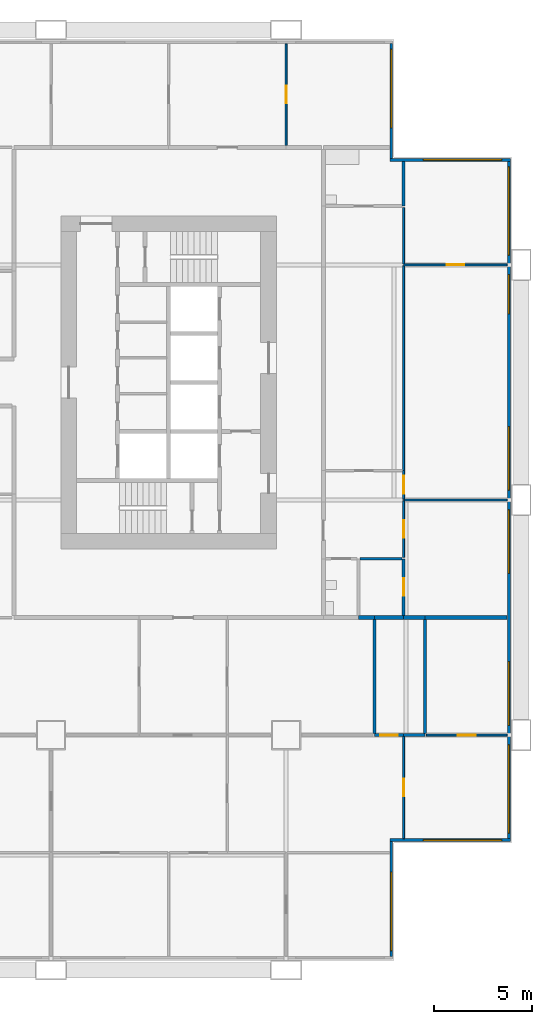
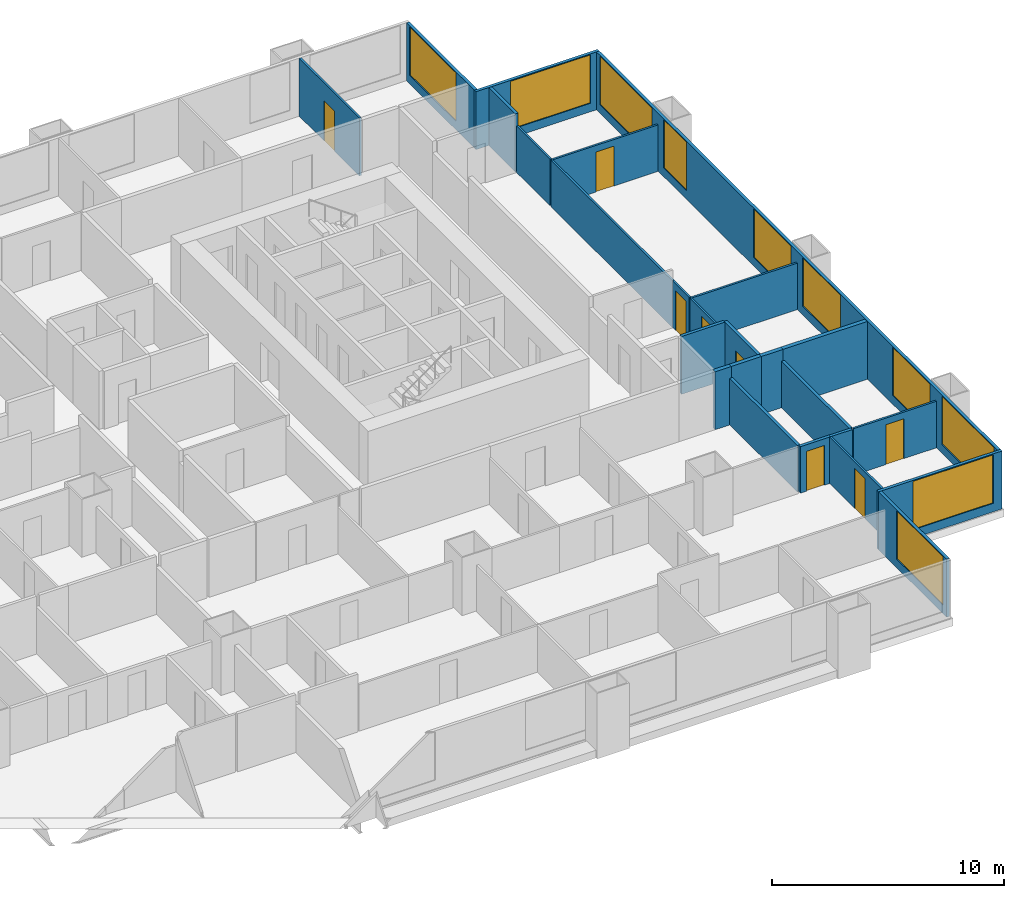
# One storey, part 10 of 13: 25 walls, 10 windows, 8 doors, 18 openings.
"""IFC4 building model written with IfcOpenShell, lengths in metres."""

from ifc_helpers import new_model, si_unit, direction, frame, frame_2d, origin, place, context, subcontext, project, spatial, rectangle, extrude, material, layer, layer_set, type_object, element, fill, save


model = new_model("IFC4")

# Units and contexts
model_context = context("Model", 3, precision=1e-05, world=origin(), true_north=direction((0.0, 1.0)))
body_context = subcontext(model_context, "Body", "Model", "MODEL_VIEW")
ifc_project = project(units=[si_unit("LENGTHUNIT", "METRE"), si_unit("AREAUNIT", "SQUARE_METRE"), si_unit("VOLUMEUNIT", "CUBIC_METRE"), si_unit("PLANEANGLEUNIT", "RADIAN"), si_unit("MASSUNIT", "GRAM", prefix="KILO")], contexts=[model_context])

# Site, building, storey
site_placement = place(None, origin())
site = spatial("IfcSite", under=ifc_project, at=site_placement, CompositionType="ELEMENT")
building_placement = place(site_placement, origin())
building = spatial("IfcBuilding", under=site, at=building_placement, Name="Kitamizu Gate Tower and Museum", CompositionType="ELEMENT")
storey_placement = place(building_placement, frame((0.0, 0.0, 78.300048828125)))
storey = spatial("IfcBuildingStorey", under=building, at=storey_placement, Name="L19", CompositionType="ELEMENT", Elevation=78.300048828125)

# Wall, opening, door
ifc_material_1 = material(Name="Gypsum board on galvanised stud")
ifc_layer_1 = layer(ifc_material_1, 0.10009765625)
ifc_layer_set_1 = layer_set([ifc_layer_1], Name="Gypsum board on galvanised stud")
wall_type_1 = type_object("IfcWallType", Name="Partition 100 NOT RATED", PredefinedType="PARTITIONING", material=ifc_layer_set_1)
wall_1_placement = place(storey_placement, frame((66.0, 6.719970703125, 0.0), z_axis=(0.0, 0.0, 1.0), x_axis=(0.0, 1.0, 0.0)))
wall_1 = element("IfcWall", 1, at=wall_1_placement, inside=storey, type_object=wall_type_1, Name="Partition L19-091", PredefinedType="PARTITIONING", context=body_context, shape_type="SweptSolid", body=[
    extrude(rectangle(XDim=5.205078125, YDim=0.10009765625, at=frame_2d((2.6025390625, 0.0))), origin(), (0.0, 0.0, 1.0), 2.449951171875),
])
opening_1_placement = place(wall_1_placement, frame((2.152587890625, 0.0, 0.0)))
opening_1 = element("IfcOpeningElement", 2, at=opening_1_placement, cuts=wall_1, Name="Opening L19-033", PredefinedType="OPENING", context=body_context, shape_type="SweptSolid", body=[
    extrude(rectangle(XDim=0.89990234375, YDim=2.10009765625, at=frame_2d((0.449951171875, 1.050048828125))), frame((0.0, 0.06005859375, 0.0), z_axis=(0.0, -1.0, 0.0), x_axis=(1.0, 0.0, 0.0)), (0.0, 0.0, 1.0), 0.1201171875),
])
ifc_material_2 = material(Name="Timber door set", Category="wood")
door_type_1 = type_object("IfcDoorType", Name="Room door 900", OperationType="NOTDEFINED", PredefinedType="DOOR", material=ifc_material_2)
door_1_placement = place(opening_1_placement, origin())
door_1 = element("IfcDoor", 3, at=door_1_placement, inside=storey, type_object=door_type_1, Name="Door L19-033", OperationType="SINGLE_SWING_LEFT", OverallHeight=2.10009765625, OverallWidth=0.89990234375, PredefinedType="DOOR", context=body_context, shape_type="SweptSolid", body=[
    extrude(rectangle(XDim=0.89990234375, YDim=2.10009765625, at=frame_2d((0.449951171875, 1.050048828125))), frame((0.0, 0.02490234375, 0.0), z_axis=(0.0, -1.0, 0.0), x_axis=(1.0, 0.0, 0.0)), (0.0, 0.0, 1.0), 0.050048828125),
])
fill(opening_1, door_1)

wall_2_placement = place(storey_placement, frame((71.280029296875, 12.0, 0.0), z_axis=(0.0, 0.0, 1.0), x_axis=(-1.0, 0.0, 0.0)))
wall_2 = element("IfcWall", 4, at=wall_2_placement, inside=storey, type_object=wall_type_1, Name="Partition L19-095", PredefinedType="PARTITIONING", context=body_context, shape_type="SweptSolid", body=[
    extrude(rectangle(XDim=4.129150390625, YDim=0.10009765625, at=frame_2d((2.064453125, 0.0))), origin(), (0.0, 0.0, 1.0), 2.449951171875),
])
opening_2_placement = place(wall_2_placement, frame((1.614501953125, 0.0, 0.0)))
opening_2 = element("IfcOpeningElement", 5, at=opening_2_placement, cuts=wall_2, Name="Opening L19-039", PredefinedType="OPENING", context=body_context, shape_type="SweptSolid", body=[
    extrude(rectangle(XDim=0.89990234375, YDim=2.10009765625, at=frame_2d((0.449951171875, 1.050048828125))), frame((0.0, 0.06005859375, 0.0), z_axis=(0.0, -1.0, 0.0), x_axis=(1.0, 0.0, 0.0)), (0.0, 0.0, 1.0), 0.1201171875),
])
door_2_placement = place(opening_2_placement, frame((0.89990234375, 0.0, 0.0), x_axis=(-1.0, 0.0, 0.0)))
door_2 = element("IfcDoor", 6, at=door_2_placement, inside=storey, type_object=door_type_1, Name="Door L19-039", OperationType="SINGLE_SWING_RIGHT", OverallHeight=2.10009765625, OverallWidth=0.89990234375, PredefinedType="DOOR", context=body_context, shape_type="SweptSolid", body=[
    extrude(rectangle(XDim=0.89990234375, YDim=2.10009765625, at=frame_2d((0.449951171875, 1.050048828125))), frame((0.0, 0.02490234375, 0.0), z_axis=(0.0, -1.0, 0.0), x_axis=(1.0, 0.0, 0.0)), (0.0, 0.0, 1.0), 0.050048828125),
])
fill(opening_2, door_2)

# Wall
wall_3_placement = place(storey_placement, frame((71.280029296875, 24.0, 0.0), z_axis=(0.0, 0.0, 1.0), x_axis=(-1.0, 0.0, 0.0)))
element("IfcWall", 7, at=wall_3_placement, inside=storey, type_object=wall_type_1, Name="Partition L19-120", PredefinedType="PARTITIONING", context=body_context, shape_type="SweptSolid", body=[
    extrude(rectangle(XDim=5.280029296875, YDim=0.10009765625, at=frame_2d((2.64013671875, 0.0))), origin(), (0.0, 0.0, 1.0), 2.449951171875),
])

# Wall, opening, door
wall_4_placement = place(storey_placement, frame((66.0, 23.949951171875, 0.0), z_axis=(0.0, 0.0, 1.0), x_axis=(0.0, -1.0, 0.0)))
wall_4 = element("IfcWall", 8, at=wall_4_placement, inside=storey, type_object=wall_type_1, Name="Partition L19-122", PredefinedType="PARTITIONING", context=body_context, shape_type="SweptSolid", body=[
    extrude(rectangle(XDim=2.875, YDim=0.10009765625, at=frame_2d((1.4375, 0.0))), origin(), (0.0, 0.0, 1.0), 2.449951171875),
])
opening_3_placement = place(wall_4_placement, frame((0.987548828125, 0.0, 0.0)))
opening_3 = element("IfcOpeningElement", 9, at=opening_3_placement, cuts=wall_4, Name="Opening L19-044", PredefinedType="OPENING", context=body_context, shape_type="SweptSolid", body=[
    extrude(rectangle(XDim=0.89990234375, YDim=2.10009765625, at=frame_2d((0.449951171875, 1.050048828125))), frame((0.0, 0.06005859375, 0.0), z_axis=(0.0, -1.0, 0.0), x_axis=(1.0, 0.0, 0.0)), (0.0, 0.0, 1.0), 0.1201171875),
])
door_3_placement = place(opening_3_placement, origin())
door_3 = element("IfcDoor", 10, at=door_3_placement, inside=storey, type_object=door_type_1, Name="Door L19-044", OperationType="SINGLE_SWING_RIGHT", OverallHeight=2.10009765625, OverallWidth=0.89990234375, PredefinedType="DOOR", context=body_context, shape_type="SweptSolid", body=[
    extrude(rectangle(XDim=0.89990234375, YDim=2.10009765625, at=frame_2d((0.449951171875, 1.050048828125))), frame((0.0, 0.02490234375, 0.0), z_axis=(0.0, -1.0, 0.0), x_axis=(1.0, 0.0, 0.0)), (0.0, 0.0, 1.0), 0.050048828125),
])
fill(opening_3, door_3)

wall_5_placement = place(storey_placement, frame((71.280029296875, 36.0, 0.0), z_axis=(0.0, 0.0, 1.0), x_axis=(-1.0, 0.0, 0.0)))
wall_5 = element("IfcWall", 11, at=wall_5_placement, inside=storey, type_object=wall_type_1, Name="Partition L19-123", PredefinedType="PARTITIONING", context=body_context, shape_type="SweptSolid", body=[
    extrude(rectangle(XDim=5.280029296875, YDim=0.10009765625, at=frame_2d((2.64013671875, 0.0))), origin(), (0.0, 0.0, 1.0), 2.449951171875),
])
opening_4_placement = place(wall_5_placement, frame((2.18994140625, 0.0, 0.0)))
opening_4 = element("IfcOpeningElement", 12, at=opening_4_placement, cuts=wall_5, Name="Opening L19-047", PredefinedType="OPENING", context=body_context, shape_type="SweptSolid", body=[
    extrude(rectangle(XDim=0.89990234375, YDim=2.10009765625, at=frame_2d((0.449951171875, 1.050048828125))), frame((0.0, 0.06005859375, 0.0), z_axis=(0.0, -1.0, 0.0), x_axis=(1.0, 0.0, 0.0)), (0.0, 0.0, 1.0), 0.1201171875),
])
door_4_placement = place(opening_4_placement, frame((0.89990234375, 0.0, 0.0), x_axis=(-1.0, 0.0, 0.0)))
door_4 = element("IfcDoor", 13, at=door_4_placement, inside=storey, type_object=door_type_1, Name="Door L19-047", OperationType="SINGLE_SWING_RIGHT", OverallHeight=2.10009765625, OverallWidth=0.89990234375, PredefinedType="DOOR", context=body_context, shape_type="SweptSolid", body=[
    extrude(rectangle(XDim=0.89990234375, YDim=2.10009765625, at=frame_2d((0.449951171875, 1.050048828125))), frame((0.0, 0.02490234375, 0.0), z_axis=(0.0, -1.0, 0.0), x_axis=(1.0, 0.0, 0.0)), (0.0, 0.0, 1.0), 0.050048828125),
])
fill(opening_4, door_4)

wall_6_placement = place(storey_placement, frame((66.0, 25.5, 0.0), z_axis=(0.0, 0.0, 1.0), x_axis=(0.0, -1.0, 0.0)))
wall_6 = element("IfcWall", 14, at=wall_6_placement, inside=storey, type_object=wall_type_1, Name="Partition L19-124", PredefinedType="PARTITIONING", context=body_context, shape_type="SweptSolid", body=[
    extrude(rectangle(XDim=1.449951171875, YDim=0.10009765625, at=frame_2d((0.72509765625, 0.0))), origin(), (0.0, 0.0, 1.0), 2.449951171875),
])
opening_5_placement = place(wall_6_placement, frame((0.27490234375, 0.0, 0.0)))
opening_5 = element("IfcOpeningElement", 15, at=opening_5_placement, cuts=wall_6, Name="Opening L19-045", PredefinedType="OPENING", context=body_context, shape_type="SweptSolid", body=[
    extrude(rectangle(XDim=0.89990234375, YDim=2.10009765625, at=frame_2d((0.449951171875, 1.050048828125))), frame((0.0, 0.06005859375, 0.0), z_axis=(0.0, -1.0, 0.0), x_axis=(1.0, 0.0, 0.0)), (0.0, 0.0, 1.0), 0.1201171875),
])
door_5_placement = place(opening_5_placement, origin())
door_5 = element("IfcDoor", 16, at=door_5_placement, inside=storey, type_object=door_type_1, Name="Door L19-045", OperationType="SINGLE_SWING_LEFT", OverallHeight=2.10009765625, OverallWidth=0.89990234375, PredefinedType="DOOR", context=body_context, shape_type="SweptSolid", body=[
    extrude(rectangle(XDim=0.89990234375, YDim=2.10009765625, at=frame_2d((0.449951171875, 1.050048828125))), frame((0.0, 0.02490234375, 0.0), z_axis=(0.0, -1.0, 0.0), x_axis=(1.0, 0.0, 0.0)), (0.0, 0.0, 1.0), 0.050048828125),
])
fill(opening_5, door_5)

# Walls
wall_7_placement = place(storey_placement, frame((66.0, 35.949951171875, 0.0), z_axis=(0.0, 0.0, 1.0), x_axis=(0.0, -1.0, 0.0)))
element("IfcWall", 17, at=wall_7_placement, inside=storey, type_object=wall_type_1, Name="Partition L19-125", PredefinedType="PARTITIONING", context=body_context, shape_type="SweptSolid", body=[
    extrude(rectangle(XDim=10.449951171875, YDim=0.10009765625, at=frame_2d((5.22509765625, 0.0))), origin(), (0.0, 0.0, 1.0), 2.449951171875),
])
wall_8_placement = place(storey_placement, frame((66.0, 38.925048828125, 0.0), z_axis=(0.0, 0.0, 1.0), x_axis=(0.0, -1.0, 0.0)))
element("IfcWall", 18, at=wall_8_placement, inside=storey, type_object=wall_type_1, Name="Partition L19-126", PredefinedType="PARTITIONING", context=body_context, shape_type="SweptSolid", body=[
    extrude(rectangle(XDim=2.875, YDim=0.10009765625, at=frame_2d((1.4375, 0.0))), origin(), (0.0, 0.0, 1.0), 2.449951171875),
])

# Wall, opening, door
wall_9_placement = place(storey_placement, frame((60.0, 42.10009765625, 0.0), z_axis=(0.0, 0.0, 1.0), x_axis=(0.0, 1.0, 0.0)))
wall_9 = element("IfcWall", 19, at=wall_9_placement, inside=storey, type_object=wall_type_1, Name="Partition L19-181", PredefinedType="PARTITIONING", context=body_context, shape_type="SweptSolid", body=[
    extrude(rectangle(XDim=5.179931640625, YDim=0.10009765625, at=frame_2d((2.58984375, 0.0))), origin(), (0.0, 0.0, 1.0), 3.050048828125),
])
opening_6_placement = place(wall_9_placement, frame((2.139892578125, 0.0, 0.0)))
opening_6 = element("IfcOpeningElement", 20, at=opening_6_placement, cuts=wall_9, Name="Opening L19-063", PredefinedType="OPENING", context=body_context, shape_type="SweptSolid", body=[
    extrude(rectangle(XDim=0.89990234375, YDim=2.10009765625, at=frame_2d((0.449951171875, 1.050048828125))), frame((0.0, 0.06005859375, 0.0), z_axis=(0.0, -1.0, 0.0), x_axis=(1.0, 0.0, 0.0)), (0.0, 0.0, 1.0), 0.1201171875),
])
door_6_placement = place(opening_6_placement, frame((0.89990234375, 0.0, 0.0), x_axis=(-1.0, 0.0, 0.0)))
door_6 = element("IfcDoor", 21, at=door_6_placement, inside=storey, type_object=door_type_1, Name="Door L19-063", OperationType="SINGLE_SWING_LEFT", OverallHeight=2.10009765625, OverallWidth=0.89990234375, PredefinedType="DOOR", context=body_context, shape_type="SweptSolid", body=[
    extrude(rectangle(XDim=0.89990234375, YDim=2.10009765625, at=frame_2d((0.449951171875, 1.050048828125))), frame((0.0, 0.02490234375, 0.0), z_axis=(0.0, -1.0, 0.0), x_axis=(1.0, 0.0, 0.0)), (0.0, 0.0, 1.0), 0.050048828125),
])
fill(opening_6, door_6)

ifc_material_3 = material(Name="Gypsum board on galvanised stud")
ifc_layer_2 = layer(ifc_material_3, 0.14990234375)
ifc_layer_set_2 = layer_set([ifc_layer_2], Name="Gypsum board on galvanised stud")
wall_type_2 = type_object("IfcWallType", Name="Partition 150", PredefinedType="PARTITIONING", material=ifc_layer_set_2)
wall_10_placement = place(storey_placement, frame((66.0, 12.0, 0.0), z_axis=(0.0, 0.0, 1.0), x_axis=(-1.0, 0.0, 0.0)))
wall_10 = element("IfcWall", 22, at=wall_10_placement, inside=storey, type_object=wall_type_2, Name="Partition L19-094", PredefinedType="PARTITIONING", context=body_context, shape_type="SweptSolid", body=[
    extrude(rectangle(XDim=1.5, YDim=0.14990234375, at=frame_2d((0.75, 0.0))), origin(), (0.0, 0.0, 1.0), 2.449951171875),
])
opening_7_placement = place(wall_10_placement, frame((0.300048828125, 0.0, 0.0)))
opening_7 = element("IfcOpeningElement", 23, at=opening_7_placement, cuts=wall_10, Name="Opening L19-040", PredefinedType="OPENING", context=body_context, shape_type="SweptSolid", body=[
    extrude(rectangle(XDim=0.89990234375, YDim=2.10009765625, at=frame_2d((0.449951171875, 1.050048828125))), frame((0.0, 0.0849609375, 0.0), z_axis=(0.0, -1.0, 0.0), x_axis=(1.0, 0.0, 0.0)), (0.0, 0.0, 1.0), 0.169921875),
])
ifc_material_4 = material(Name="Timber door set", Category="wood")
door_type_2 = type_object("IfcDoorType", Name="Bathroom door 900", OperationType="NOTDEFINED", PredefinedType="DOOR", material=ifc_material_4)
door_7_placement = place(opening_7_placement, frame((0.89990234375, 0.0, 0.0), x_axis=(-1.0, 0.0, 0.0)))
door_7 = element("IfcDoor", 24, at=door_7_placement, inside=storey, type_object=door_type_2, Name="Bathroom door L19-040", OperationType="SINGLE_SWING_RIGHT", OverallHeight=2.10009765625, OverallWidth=0.89990234375, PredefinedType="DOOR", context=body_context, shape_type="SweptSolid", body=[
    extrude(rectangle(XDim=0.89990234375, YDim=2.10009765625, at=frame_2d((0.449951171875, 1.050048828125))), frame((0.0, 0.02490234375, 0.0), z_axis=(0.0, -1.0, 0.0), x_axis=(1.0, 0.0, 0.0)), (0.0, 0.0, 1.0), 0.050048828125),
])
fill(opening_7, door_7)

# Walls
wall_11_placement = place(storey_placement, frame((67.075927734375, 12.0, 0.0), z_axis=(0.0, 0.0, 1.0), x_axis=(-1.0, 0.0, 0.0)))
element("IfcWall", 25, at=wall_11_placement, inside=storey, type_object=wall_type_2, Name="Partition L19-096", PredefinedType="PARTITIONING", context=body_context, shape_type="SweptSolid", body=[
    extrude(rectangle(XDim=1.075927734375, YDim=0.14990234375, at=frame_2d((0.5380859375, 0.0))), origin(), (0.0, 0.0, 1.0), 2.449951171875),
])
for number, where, z_axis, x_axis, name in (
    (26, (64.5, 12.074951171875, 0.0), (0.0, 0.0, 1.0), (0.0, 1.0, 0.0), "Partition L19-105"),
    (27, (67.075927734375, 17.89990234375, 0.0), (0.0, 0.0, 1.0), (0.0, -1.0, 0.0), "Partition L19-109"),
):
    element("IfcWall", number, at=place(storey_placement, frame(where, z_axis=z_axis, x_axis=x_axis)), inside=storey, type_object=wall_type_2, Name=name, PredefinedType="PARTITIONING", context=body_context, shape_type="SweptSolid", body=[
        extrude(rectangle(XDim=5.824951171875, YDim=0.14990234375, at=frame_2d((2.91259765625, 0.0))), origin(), (0.0, 0.0, 1.0), 2.449951171875),
    ])

# Wall, opening, door
wall_12_placement = place(storey_placement, frame((66.0, 21.0, 0.0), z_axis=(0.0, 0.0, 1.0), x_axis=(0.0, -1.0, 0.0)))
wall_12 = element("IfcWall", 28, at=wall_12_placement, inside=storey, type_object=wall_type_2, Name="Partition L19-121", PredefinedType="PARTITIONING", context=body_context, shape_type="SweptSolid", body=[
    extrude(rectangle(XDim=2.89990234375, YDim=0.14990234375, at=frame_2d((1.449951171875, 0.0))), origin(), (0.0, 0.0, 1.0), 3.050048828125),
])
opening_8_placement = place(wall_12_placement, frame((1.0, 0.0, 0.0)))
opening_8 = element("IfcOpeningElement", 29, at=opening_8_placement, cuts=wall_12, Name="Opening L19-049", PredefinedType="OPENING", context=body_context, shape_type="SweptSolid", body=[
    extrude(rectangle(XDim=0.89990234375, YDim=2.10009765625, at=frame_2d((0.449951171875, 1.050048828125))), frame((0.0, 0.0849609375, 0.0), z_axis=(0.0, -1.0, 0.0), x_axis=(1.0, 0.0, 0.0)), (0.0, 0.0, 1.0), 0.169921875),
])
door_8_placement = place(opening_8_placement, frame((0.89990234375, 0.0, 0.0), x_axis=(-1.0, 0.0, 0.0)))
door_8 = element("IfcDoor", 30, at=door_8_placement, inside=storey, type_object=door_type_2, Name="Bathroom door L19-049", OperationType="SINGLE_SWING_RIGHT", OverallHeight=2.10009765625, OverallWidth=0.89990234375, PredefinedType="DOOR", context=body_context, shape_type="SweptSolid", body=[
    extrude(rectangle(XDim=0.89990234375, YDim=2.10009765625, at=frame_2d((0.449951171875, 1.050048828125))), frame((0.0, 0.02490234375, 0.0), z_axis=(0.0, -1.0, 0.0), x_axis=(1.0, 0.0, 0.0)), (0.0, 0.0, 1.0), 0.050048828125),
])
fill(opening_8, door_8)

# Walls
wall_13_placement = place(storey_placement, frame((66.0, 41.280029296875, 0.0), z_axis=(0.0, 0.0, 1.0), x_axis=(0.0, -1.0, 0.0)))
element("IfcWall", 31, at=wall_13_placement, inside=storey, type_object=wall_type_2, Name="Partition L19-127", PredefinedType="PARTITIONING", context=body_context, shape_type="SweptSolid", body=[
    extrude(rectangle(XDim=2.280029296875, YDim=0.14990234375, at=frame_2d((1.14013671875, 0.0))), origin(), (0.0, 0.0, 1.0), 3.050048828125),
])
wall_14_placement = place(storey_placement, frame((65.925048828125, 21.0, 0.0), z_axis=(0.0, 0.0, 1.0), x_axis=(-1.0, 0.0, 0.0)))
element("IfcWall", 32, at=wall_14_placement, inside=storey, type_object=wall_type_2, Name="Partition L19-131", PredefinedType="PARTITIONING", context=body_context, shape_type="SweptSolid", body=[
    extrude(rectangle(XDim=2.150146484375, YDim=0.14990234375, at=frame_2d((1.0751953125, 0.0))), origin(), (0.0, 0.0, 1.0), 3.050048828125),
])
ifc_material_5 = material(Name="Gypsum board on galvanised stud")
ifc_layer_3 = layer(ifc_material_5, 0.199951171875)
ifc_layer_set_3 = layer_set([ifc_layer_3], Name="Gypsum board on galvanised stud")
wall_type_3 = type_object("IfcWallType", Name="Partition 200", PredefinedType="PARTITIONING", material=ifc_layer_set_3)
wall_15_placement = place(storey_placement, frame((64.5, 18.0, 0.0), z_axis=(0.0, 0.0, 1.0), x_axis=(-1.0, 0.0, 0.0)))
element("IfcWall", 33, at=wall_15_placement, inside=storey, type_object=wall_type_3, Name="Partition L19-107", PredefinedType="PARTITIONING", context=body_context, shape_type="SweptSolid", body=[
    extrude(rectangle(XDim=0.800048828125, YDim=0.199951171875, at=frame_2d((0.39990234375, 0.0))), origin(), (0.0, 0.0, 1.0), 3.050048828125),
])
wall_16_placement = place(storey_placement, frame((71.280029296875, 18.0, 0.0), z_axis=(0.0, 0.0, 1.0), x_axis=(-1.0, 0.0, 0.0)))
element("IfcWall", 34, at=wall_16_placement, inside=storey, type_object=wall_type_3, Name="Partition L19-110", PredefinedType="PARTITIONING", context=body_context, shape_type="SweptSolid", body=[
    extrude(rectangle(XDim=4.2041015625, YDim=0.199951171875, at=frame_2d((2.10205078125, 0.0))), origin(), (0.0, 0.0, 1.0), 3.050048828125),
])
wall_17_placement = place(storey_placement, frame((67.075927734375, 18.0, 0.0), z_axis=(0.0, 0.0, 1.0), x_axis=(-1.0, 0.0, 0.0)))
element("IfcWall", 35, at=wall_17_placement, inside=storey, type_object=wall_type_3, Name="Partition L19-111", PredefinedType="PARTITIONING", context=body_context, shape_type="SweptSolid", body=[
    extrude(rectangle(XDim=1.075927734375, YDim=0.199951171875, at=frame_2d((0.5380859375, 0.0))), origin(), (0.0, 0.0, 1.0), 3.050048828125),
])
wall_18_placement = place(storey_placement, frame((66.0, 18.0, 0.0), z_axis=(0.0, 0.0, 1.0), x_axis=(-1.0, 0.0, 0.0)))
element("IfcWall", 36, at=wall_18_placement, inside=storey, type_object=wall_type_3, Name="Partition L19-112", PredefinedType="PARTITIONING", context=body_context, shape_type="SweptSolid", body=[
    extrude(rectangle(XDim=1.5, YDim=0.199951171875, at=frame_2d((0.75, 0.0))), origin(), (0.0, 0.0, 1.0), 3.050048828125),
])

# Wall, opening, window
ifc_material_6 = material(Name="Bronze anodised aluminium frame with insulated spandrel and tinted glass", Category="aluminium")
ifc_layer_4 = layer(ifc_material_6, 0.14990234375)
ifc_layer_set_4 = layer_set([ifc_layer_4], Name="Bronze anodised aluminium frame with insulated spandrel and tinted glass")
wall_type_4 = type_object("IfcWallType", Name="WINDOW WALL 150 BRONZE FRAME EI 30", PredefinedType="ELEMENTEDWALL", material=ifc_layer_set_4)
wall_19_placement = place(storey_placement, frame((65.364990234375, 0.7099609375, 0.0), z_axis=(0.0, 0.0, 1.0), x_axis=(0.0, 1.0, 0.0)))
wall_19 = element("IfcWall", 37, at=wall_19_placement, inside=storey, type_object=wall_type_4, Name="Window wall east L19", PredefinedType="ELEMENTEDWALL", context=body_context, shape_type="SweptSolid", body=[
    extrude(rectangle(XDim=5.85009765625, YDim=0.14990234375, at=frame_2d((2.925048828125, 0.0))), origin(), (0.0, 0.0, 1.0), 3.050048828125),
])
opening_9_placement = place(wall_19_placement, frame((0.2900390625, 0.0, 0.449951171875)))
opening_9 = element("IfcOpeningElement", 38, at=opening_9_placement, cuts=wall_19, Name="Opening W16", PredefinedType="OPENING", context=body_context, shape_type="SweptSolid", body=[
    extrude(rectangle(XDim=4.0, YDim=2.550048828125, at=frame_2d((2.0, 1.27490234375))), frame((0.0, 0.0849609375, 0.0), z_axis=(0.0, -1.0, 0.0), x_axis=(1.0, 0.0, 0.0)), (0.0, 0.0, 1.0), 0.169921875),
])
ifc_material_7 = material(Name="Bronze anodised aluminium frame, tinted triple glazing", Category="aluminium")
window_type_1 = type_object("IfcWindowType", Name="WINDOW 4000 x 2550 SILL 450", PartitioningType="SINGLE_PANEL", PredefinedType="WINDOW", material=ifc_material_7)
window_1_placement = place(opening_9_placement, origin())
window_1 = element("IfcWindow", 39, at=window_1_placement, inside=storey, type_object=window_type_1, Name="Window W16 L19", OverallHeight=2.550048828125, OverallWidth=4.0, PartitioningType="SINGLE_PANEL", PredefinedType="WINDOW", context=body_context, shape_type="SweptSolid", body=[
    extrude(rectangle(XDim=4.0, YDim=2.550048828125, at=frame_2d((2.0, 1.27490234375))), frame((0.0, 0.030029296875, 0.0), z_axis=(0.0, -1.0, 0.0), x_axis=(1.0, 0.0, 0.0)), (0.0, 0.0, 1.0), 0.06005859375),
])
fill(opening_9, window_1)

wall_20_placement = place(storey_placement, frame((65.2900390625, 6.635009765625, 0.0), z_axis=(0.0, 0.0, 1.0), x_axis=(1.0, 0.0, 0.0)))
wall_20 = element("IfcWall", 40, at=wall_20_placement, inside=storey, type_object=wall_type_4, Name="Window wall south L19", PredefinedType="ELEMENTEDWALL", context=body_context, shape_type="SweptSolid", body=[
    extrude(rectangle(XDim=6.14990234375, YDim=0.14990234375, at=frame_2d((3.074951171875, 0.0))), origin(), (0.0, 0.0, 1.0), 3.050048828125),
])
opening_10_placement = place(wall_20_placement, frame((1.7099609375, 0.0, 0.449951171875)))
opening_10 = element("IfcOpeningElement", 41, at=opening_10_placement, cuts=wall_20, Name="Opening W16", PredefinedType="OPENING", context=body_context, shape_type="SweptSolid", body=[
    extrude(rectangle(XDim=4.0, YDim=2.550048828125, at=frame_2d((2.0, 1.27490234375))), frame((0.0, 0.0849609375, 0.0), z_axis=(0.0, -1.0, 0.0), x_axis=(1.0, 0.0, 0.0)), (0.0, 0.0, 1.0), 0.169921875),
])
window_2_placement = place(opening_10_placement, origin())
window_2 = element("IfcWindow", 42, at=window_2_placement, inside=storey, type_object=window_type_1, Name="Window W16 L19", OverallHeight=2.550048828125, OverallWidth=4.0, PartitioningType="SINGLE_PANEL", PredefinedType="WINDOW", context=body_context, shape_type="SweptSolid", body=[
    extrude(rectangle(XDim=4.0, YDim=2.550048828125, at=frame_2d((2.0, 1.27490234375))), frame((0.0, 0.030029296875, 0.0), z_axis=(0.0, -1.0, 0.0), x_axis=(1.0, 0.0, 0.0)), (0.0, 0.0, 1.0), 0.06005859375),
])
fill(opening_10, window_2)

# Wall, openings, windows
wall_21_placement = place(storey_placement, frame((71.364990234375, 6.7099609375, 0.0), z_axis=(0.0, 0.0, 1.0), x_axis=(0.0, 1.0, 0.0)))
wall_21 = element("IfcWall", 43, at=wall_21_placement, inside=storey, type_object=wall_type_4, Name="Window wall east L19", PredefinedType="ELEMENTEDWALL", context=body_context, shape_type="SweptSolid", body=[
    extrude(rectangle(XDim=34.580078125, YDim=0.14990234375, at=frame_2d((17.2900390625, 0.0))), origin(), (0.0, 0.0, 1.0), 3.050048828125),
])
opening_11_placement = place(wall_21_placement, frame((0.2900390625, 0.0, 0.449951171875)))
opening_11 = element("IfcOpeningElement", 44, at=opening_11_placement, cuts=wall_21, Name="Opening W15", PredefinedType="OPENING", context=body_context, shape_type="SweptSolid", body=[
    extrude(rectangle(XDim=4.5, YDim=2.550048828125, at=frame_2d((2.25, 1.27490234375))), frame((0.0, 0.0849609375, 0.0), z_axis=(0.0, -1.0, 0.0), x_axis=(1.0, 0.0, 0.0)), (0.0, 0.0, 1.0), 0.169921875),
])
opening_12_placement = place(wall_21_placement, frame((5.7900390625, 0.0, 0.449951171875)))
opening_12 = element("IfcOpeningElement", 45, at=opening_12_placement, cuts=wall_21, Name="Opening W34", PredefinedType="OPENING", context=body_context, shape_type="SweptSolid", body=[
    extrude(rectangle(XDim=3.25, YDim=2.550048828125, at=frame_2d((1.625, 1.27490234375))), frame((0.0, 0.0849609375, 0.0), z_axis=(0.0, -1.0, 0.0), x_axis=(1.0, 0.0, 0.0)), (0.0, 0.0, 1.0), 0.169921875),
])
opening_13_placement = place(wall_21_placement, frame((13.5400390625, 0.0, 0.449951171875)))
opening_13 = element("IfcOpeningElement", 46, at=opening_13_placement, cuts=wall_21, Name="Opening W34", PredefinedType="OPENING", context=body_context, shape_type="SweptSolid", body=[
    extrude(rectangle(XDim=3.25, YDim=2.550048828125, at=frame_2d((1.625, 1.27490234375))), frame((0.0, 0.0849609375, 0.0), z_axis=(0.0, -1.0, 0.0), x_axis=(1.0, 0.0, 0.0)), (0.0, 0.0, 1.0), 0.169921875),
])
opening_14_placement = place(wall_21_placement, frame((17.7900390625, 0.0, 0.449951171875)))
opening_14 = element("IfcOpeningElement", 47, at=opening_14_placement, cuts=wall_21, Name="Opening W34", PredefinedType="OPENING", context=body_context, shape_type="SweptSolid", body=[
    extrude(rectangle(XDim=3.25, YDim=2.550048828125, at=frame_2d((1.625, 1.27490234375))), frame((0.0, 0.0849609375, 0.0), z_axis=(0.0, -1.0, 0.0), x_axis=(1.0, 0.0, 0.0)), (0.0, 0.0, 1.0), 0.169921875),
])
opening_15_placement = place(wall_21_placement, frame((26.7900390625, 0.0, 0.449951171875)))
opening_15 = element("IfcOpeningElement", 48, at=opening_15_placement, cuts=wall_21, Name="Opening W2", PredefinedType="OPENING", context=body_context, shape_type="SweptSolid", body=[
    extrude(rectangle(XDim=2.0, YDim=2.550048828125, at=frame_2d((1.0, 1.27490234375))), frame((0.0, 0.0849609375, 0.0), z_axis=(0.0, -1.0, 0.0), x_axis=(1.0, 0.0, 0.0)), (0.0, 0.0, 1.0), 0.169921875),
])
opening_16_placement = place(wall_21_placement, frame((29.7900390625, 0.0, 0.449951171875)))
opening_16 = element("IfcOpeningElement", 49, at=opening_16_placement, cuts=wall_21, Name="Opening W15", PredefinedType="OPENING", context=body_context, shape_type="SweptSolid", body=[
    extrude(rectangle(XDim=4.5, YDim=2.550048828125, at=frame_2d((2.25, 1.27490234375))), frame((0.0, 0.0849609375, 0.0), z_axis=(0.0, -1.0, 0.0), x_axis=(1.0, 0.0, 0.0)), (0.0, 0.0, 1.0), 0.169921875),
])
ifc_material_8 = material(Name="Bronze anodised aluminium frame, tinted triple glazing", Category="aluminium")
window_type_2 = type_object("IfcWindowType", Name="WINDOW 2000 x 2550 SILL 450", PartitioningType="SINGLE_PANEL", PredefinedType="WINDOW", material=ifc_material_8)
window_3_placement = place(opening_15_placement, origin())
window_3 = element("IfcWindow", 50, at=window_3_placement, inside=storey, type_object=window_type_2, Name="Window W2 L19", OverallHeight=2.550048828125, OverallWidth=2.0, PartitioningType="SINGLE_PANEL", PredefinedType="WINDOW", context=body_context, shape_type="SweptSolid", body=[
    extrude(rectangle(XDim=2.0, YDim=2.550048828125, at=frame_2d((1.0, 1.27490234375))), frame((0.0, 0.030029296875, 0.0), z_axis=(0.0, -1.0, 0.0), x_axis=(1.0, 0.0, 0.0)), (0.0, 0.0, 1.0), 0.06005859375),
])
fill(opening_15, window_3)
ifc_material_9 = material(Name="Bronze anodised aluminium frame, tinted triple glazing", Category="aluminium")
window_type_3 = type_object("IfcWindowType", Name="WINDOW 3250 x 2550 SILL 450", PartitioningType="SINGLE_PANEL", PredefinedType="WINDOW", material=ifc_material_9)
window_4_placement = place(opening_12_placement, origin())
window_4 = element("IfcWindow", 51, at=window_4_placement, inside=storey, type_object=window_type_3, Name="Window W34 L19", OverallHeight=2.550048828125, OverallWidth=3.25, PartitioningType="SINGLE_PANEL", PredefinedType="WINDOW", context=body_context, shape_type="SweptSolid", body=[
    extrude(rectangle(XDim=3.25, YDim=2.550048828125, at=frame_2d((1.625, 1.27490234375))), frame((0.0, 0.030029296875, 0.0), z_axis=(0.0, -1.0, 0.0), x_axis=(1.0, 0.0, 0.0)), (0.0, 0.0, 1.0), 0.06005859375),
])
fill(opening_12, window_4)
window_5_placement = place(opening_13_placement, origin())
window_5 = element("IfcWindow", 52, at=window_5_placement, inside=storey, type_object=window_type_3, Name="Window W34 L19", OverallHeight=2.550048828125, OverallWidth=3.25, PartitioningType="SINGLE_PANEL", PredefinedType="WINDOW", context=body_context, shape_type="SweptSolid", body=[
    extrude(rectangle(XDim=3.25, YDim=2.550048828125, at=frame_2d((1.625, 1.27490234375))), frame((0.0, 0.030029296875, 0.0), z_axis=(0.0, -1.0, 0.0), x_axis=(1.0, 0.0, 0.0)), (0.0, 0.0, 1.0), 0.06005859375),
])
fill(opening_13, window_5)
window_6_placement = place(opening_14_placement, origin())
window_6 = element("IfcWindow", 53, at=window_6_placement, inside=storey, type_object=window_type_3, Name="Window W34 L19", OverallHeight=2.550048828125, OverallWidth=3.25, PartitioningType="SINGLE_PANEL", PredefinedType="WINDOW", context=body_context, shape_type="SweptSolid", body=[
    extrude(rectangle(XDim=3.25, YDim=2.550048828125, at=frame_2d((1.625, 1.27490234375))), frame((0.0, 0.030029296875, 0.0), z_axis=(0.0, -1.0, 0.0), x_axis=(1.0, 0.0, 0.0)), (0.0, 0.0, 1.0), 0.06005859375),
])
fill(opening_14, window_6)
ifc_material_10 = material(Name="Bronze anodised aluminium frame, tinted triple glazing", Category="aluminium")
window_type_4 = type_object("IfcWindowType", Name="WINDOW 4500 x 2550 SILL 450", PartitioningType="SINGLE_PANEL", PredefinedType="WINDOW", material=ifc_material_10)
window_7_placement = place(opening_11_placement, origin())
window_7 = element("IfcWindow", 54, at=window_7_placement, inside=storey, type_object=window_type_4, Name="Window W15 L19", OverallHeight=2.550048828125, OverallWidth=4.5, PartitioningType="SINGLE_PANEL", PredefinedType="WINDOW", context=body_context, shape_type="SweptSolid", body=[
    extrude(rectangle(XDim=4.5, YDim=2.550048828125, at=frame_2d((2.25, 1.27490234375))), frame((0.0, 0.030029296875, 0.0), z_axis=(0.0, -1.0, 0.0), x_axis=(1.0, 0.0, 0.0)), (0.0, 0.0, 1.0), 0.06005859375),
])
fill(opening_11, window_7)
window_8_placement = place(opening_16_placement, origin())
window_8 = element("IfcWindow", 55, at=window_8_placement, inside=storey, type_object=window_type_4, Name="Window W15 L19", OverallHeight=2.550048828125, OverallWidth=4.5, PartitioningType="SINGLE_PANEL", PredefinedType="WINDOW", context=body_context, shape_type="SweptSolid", body=[
    extrude(rectangle(XDim=4.5, YDim=2.550048828125, at=frame_2d((2.25, 1.27490234375))), frame((0.0, 0.030029296875, 0.0), z_axis=(0.0, -1.0, 0.0), x_axis=(1.0, 0.0, 0.0)), (0.0, 0.0, 1.0), 0.06005859375),
])
fill(opening_16, window_8)

# Wall, opening, window
wall_22_placement = place(storey_placement, frame((65.2900390625, 41.364990234375, 0.0), z_axis=(0.0, 0.0, 1.0), x_axis=(1.0, 0.0, 0.0)))
wall_22 = element("IfcWall", 56, at=wall_22_placement, inside=storey, type_object=wall_type_4, Name="Window wall north L19", PredefinedType="ELEMENTEDWALL", context=body_context, shape_type="SweptSolid", body=[
    extrude(rectangle(XDim=6.14990234375, YDim=0.14990234375, at=frame_2d((3.074951171875, 0.0))), origin(), (0.0, 0.0, 1.0), 3.050048828125),
])
opening_17_placement = place(wall_22_placement, frame((1.7099609375, 0.0, 0.449951171875)))
opening_17 = element("IfcOpeningElement", 57, at=opening_17_placement, cuts=wall_22, Name="Opening W16", PredefinedType="OPENING", context=body_context, shape_type="SweptSolid", body=[
    extrude(rectangle(XDim=4.0, YDim=2.550048828125, at=frame_2d((2.0, 1.27490234375))), frame((0.0, 0.0849609375, 0.0), z_axis=(0.0, -1.0, 0.0), x_axis=(1.0, 0.0, 0.0)), (0.0, 0.0, 1.0), 0.169921875),
])
window_9_placement = place(opening_17_placement, origin())
window_9 = element("IfcWindow", 58, at=window_9_placement, inside=storey, type_object=window_type_1, Name="Window W16 L19", OverallHeight=2.550048828125, OverallWidth=4.0, PartitioningType="SINGLE_PANEL", PredefinedType="WINDOW", context=body_context, shape_type="SweptSolid", body=[
    extrude(rectangle(XDim=4.0, YDim=2.550048828125, at=frame_2d((2.0, 1.27490234375))), frame((0.0, 0.030029296875, 0.0), z_axis=(0.0, -1.0, 0.0), x_axis=(1.0, 0.0, 0.0)), (0.0, 0.0, 1.0), 0.06005859375),
])
fill(opening_17, window_9)

wall_23_placement = place(storey_placement, frame((65.364990234375, 41.43994140625, 0.0), z_axis=(0.0, 0.0, 1.0), x_axis=(0.0, 1.0, 0.0)))
wall_23 = element("IfcWall", 59, at=wall_23_placement, inside=storey, type_object=wall_type_4, Name="Window wall east L19", PredefinedType="ELEMENTEDWALL", context=body_context, shape_type="SweptSolid", body=[
    extrude(rectangle(XDim=5.85009765625, YDim=0.14990234375, at=frame_2d((2.925048828125, 0.0))), origin(), (0.0, 0.0, 1.0), 3.050048828125),
])
opening_18_placement = place(wall_23_placement, frame((1.56005859375, 0.0, 0.449951171875)))
opening_18 = element("IfcOpeningElement", 60, at=opening_18_placement, cuts=wall_23, Name="Opening W16", PredefinedType="OPENING", context=body_context, shape_type="SweptSolid", body=[
    extrude(rectangle(XDim=4.0, YDim=2.550048828125, at=frame_2d((2.0, 1.27490234375))), frame((0.0, 0.0849609375, 0.0), z_axis=(0.0, -1.0, 0.0), x_axis=(1.0, 0.0, 0.0)), (0.0, 0.0, 1.0), 0.169921875),
])
window_10_placement = place(opening_18_placement, origin())
window_10 = element("IfcWindow", 61, at=window_10_placement, inside=storey, type_object=window_type_1, Name="Window W16 L19", OverallHeight=2.550048828125, OverallWidth=4.0, PartitioningType="SINGLE_PANEL", PredefinedType="WINDOW", context=body_context, shape_type="SweptSolid", body=[
    extrude(rectangle(XDim=4.0, YDim=2.550048828125, at=frame_2d((2.0, 1.27490234375))), frame((0.0, 0.030029296875, 0.0), z_axis=(0.0, -1.0, 0.0), x_axis=(1.0, 0.0, 0.0)), (0.0, 0.0, 1.0), 0.06005859375),
])
fill(opening_18, window_10)

save(model, "model.ifc")
